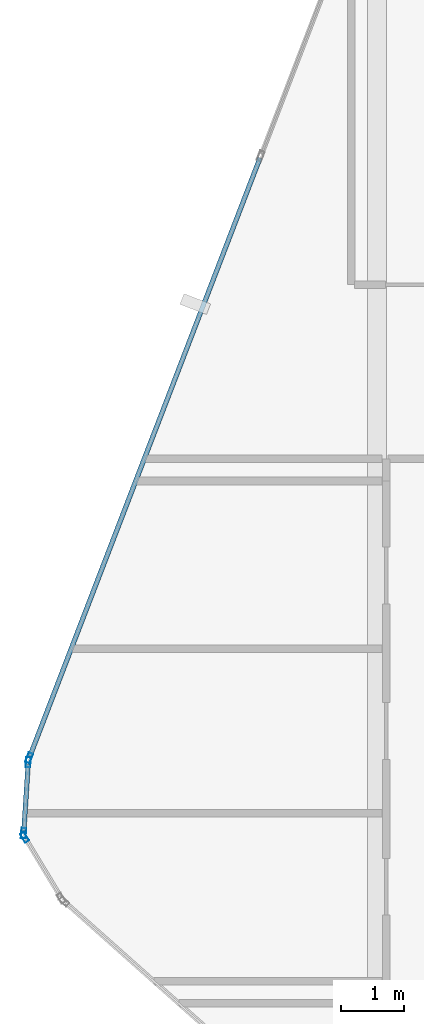
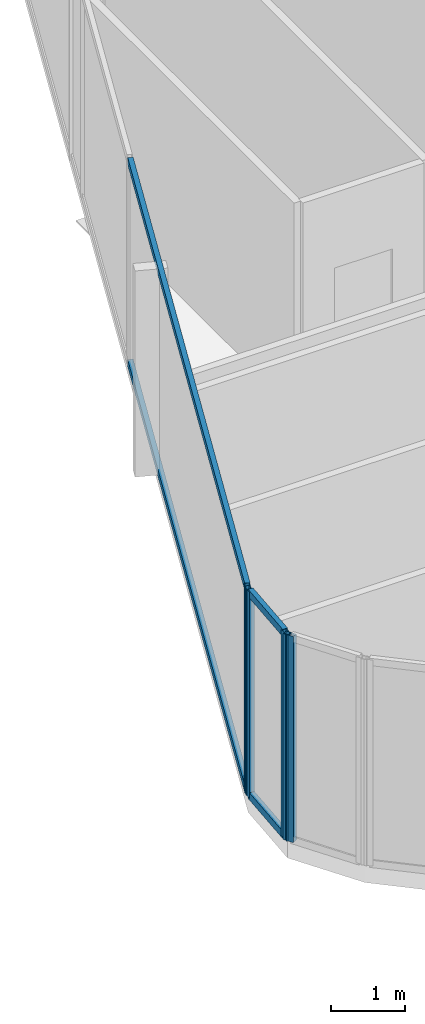
# One storey, part 10 of 30: 8 members, 3 elements without a shape of their own.
"""IFC4 building model written with IfcOpenShell, lengths in metres."""

from ifc_helpers import new_model, si_unit, direction, frame, origin, origin_2d, place, context, subcontext, project, spatial, hollow_rectangle, extrude, material, layer, layer_set, material_profile, profile_set, type_object, element, aggregate, save


model = new_model("IFC4")

# Units and contexts
model_context = context("Model", 3, precision=1e-05, world=origin(), true_north=direction((0.0, 1.0)))
body_context = subcontext(model_context, "Body", "Model", "MODEL_VIEW")
ifc_project = project(units=[si_unit("LENGTHUNIT", "METRE"), si_unit("AREAUNIT", "SQUARE_METRE"), si_unit("VOLUMEUNIT", "CUBIC_METRE"), si_unit("PLANEANGLEUNIT", "RADIAN"), si_unit("MASSUNIT", "GRAM", prefix="KILO")], contexts=[model_context])

# Site, building, storey
site_placement = place(None, origin())
site = spatial("IfcSite", under=ifc_project, at=site_placement, CompositionType="ELEMENT")
building_placement = place(site_placement, origin())
building = spatial("IfcBuilding", under=site, at=building_placement, Name="Keshet Zoharim Tower", CompositionType="ELEMENT")
storey_placement = place(building_placement, frame((0.0, 0.0, 280.60009765625)))
storey = spatial("IfcBuildingStorey", under=building, at=storey_placement, Name="L70", CompositionType="ELEMENT", Elevation=280.60009765625)

# Curtain wall, member
ifc_material = material(Name="Aluminium 6063-T6", Category="aluminium")
ifc_layer = layer(ifc_material, 0.260009765625)
ifc_layer_set = layer_set([ifc_layer], Name="Aluminium 6063-T6")
curtain_wall_type = type_object("IfcCurtainWallType", Name="CW-SYS-06", PredefinedType="NOTDEFINED", material=ifc_layer_set)
curtain_wall_1_placement = place(storey_placement, origin())
curtain_wall_1 = element("IfcCurtainWall", 1, at=curtain_wall_1_placement, inside=storey, type_object=curtain_wall_type, Name="L70 Unitised Curtain Wall 01", PredefinedType="NOTDEFINED")
ifc_material_profile_1 = material_profile(ifc_material, hollow_rectangle(XDim=0.074951171875, YDim=0.159912109375, WallThickness=0.00390625, at=origin_2d()), Name="MUL-75x160")
ifc_profile_set_1 = profile_set([ifc_material_profile_1], Name="Aluminium 6063-T6")
member_type_1 = type_object("IfcMemberType", Name="CWM-M15", PredefinedType="MULLION", material=ifc_profile_set_1)
member_1_placement = place(storey_placement, frame((3.43798828125, 22.77197265625, 0.0), z_axis=(0.0, 0.0, 1.0), x_axis=(-0.856826433805, -0.515604947933, 0.0)))
member_1 = element("IfcMember", 2, at=member_1_placement, type_object=member_type_1, Name="CW-06 mullion 2", PredefinedType="MULLION", context=body_context, shape_type="SweptSolid", body=[
    extrude(hollow_rectangle(XDim=0.074951171875, YDim=0.159912109375, WallThickness=0.00390625, at=origin_2d()), origin(), (0.0, 0.0, 1.0), 3.389892578125),
])
aggregate(curtain_wall_1, [member_1])

# Curtain wall, members
curtain_wall_2_placement = place(storey_placement, origin())
curtain_wall_2 = element("IfcCurtainWall", 3, at=curtain_wall_2_placement, inside=storey, type_object=curtain_wall_type, Name="L70 Unitised Curtain Wall 02", PredefinedType="NOTDEFINED")
member_2_placement = place(storey_placement, frame((3.42236328125, 22.8369140625, 0.0), z_axis=(0.0, 0.0, 1.0), x_axis=(-0.997916617186, 0.064516859374, 0.0)))
member_2 = element("IfcMember", 4, at=member_2_placement, type_object=member_type_1, Name="CW-06 mullion 1", PredefinedType="MULLION", context=body_context, shape_type="SweptSolid", body=[
    extrude(hollow_rectangle(XDim=0.074951171875, YDim=0.159912109375, WallThickness=0.00390625, at=origin_2d()), origin(), (0.0, 0.0, 1.0), 3.389892578125),
])
member_3_placement = place(storey_placement, frame((3.49462890625, 23.9580078125, 0.0), z_axis=(0.0, 0.0, 1.0), x_axis=(-0.997916617186, 0.064516859374, 0.0)))
member_3 = element("IfcMember", 5, at=member_3_placement, type_object=member_type_1, Name="CW-06 mullion 2", PredefinedType="MULLION", context=body_context, shape_type="SweptSolid", body=[
    extrude(hollow_rectangle(XDim=0.074951171875, YDim=0.159912109375, WallThickness=0.00390625, at=origin_2d()), origin(), (0.0, 0.0, 1.0), 3.389892578125),
])

# Curtain wall, member
curtain_wall_3_placement = place(storey_placement, origin())
curtain_wall_3 = element("IfcCurtainWall", 6, at=curtain_wall_3_placement, inside=storey, type_object=curtain_wall_type, Name="L70 Unitised Curtain Wall 03", PredefinedType="NOTDEFINED")
member_4_placement = place(storey_placement, frame((3.509521484375, 24.025634765625, 0.0), z_axis=(0.0, 0.0, 1.0), x_axis=(-0.933341404361, 0.358990003907, 0.0)))
member_4 = element("IfcMember", 7, at=member_4_placement, type_object=member_type_1, Name="CW-06 mullion 1", PredefinedType="MULLION", context=body_context, shape_type="SweptSolid", body=[
    extrude(hollow_rectangle(XDim=0.074951171875, YDim=0.159912109375, WallThickness=0.00390625, at=origin_2d()), origin(), (0.0, 0.0, 1.0), 3.389892578125),
])

# Member
ifc_material_profile_2 = material_profile(ifc_material, hollow_rectangle(XDim=0.074951171875, YDim=0.1201171875, WallThickness=0.00390625, at=origin_2d()), Name="TRN-75x120")
ifc_profile_set_2 = profile_set([ifc_material_profile_2], Name="Aluminium 6063-T6")
member_type_2 = type_object("IfcMemberType", Name="CWT-T12", PredefinedType="USERDEFINED", material=ifc_profile_set_2)
member_5_placement = place(storey_placement, frame((3.424560546875, 22.871826171875, 0.034912109375), z_axis=(0.064426947155, 0.997922426083, 0.0), x_axis=(-0.997922426083, 0.064426947155, 0.0)))
member_5 = element("IfcMember", 8, at=member_5_placement, type_object=member_type_2, Name="CW-06 transom 1.1", ObjectType="TRANSOM", PredefinedType="USERDEFINED", context=body_context, shape_type="SweptSolid", body=[
    extrude(hollow_rectangle(XDim=0.074951171875, YDim=0.1201171875, WallThickness=0.00390625, at=origin_2d()), origin(), (0.0, 0.0, 1.0), 1.053466796875),
])

member_6_placement = place(storey_placement, frame((3.424560546875, 22.871826171875, 3.35498046875), z_axis=(0.064426947155, 0.997922426083, 0.0), x_axis=(-0.997922426083, 0.064426947155, 0.0)))
member_6 = element("IfcMember", 9, at=member_6_placement, type_object=member_type_2, Name="CW-06 transom 1.2", ObjectType="TRANSOM", PredefinedType="USERDEFINED", context=body_context, shape_type="SweptSolid", body=[
    extrude(hollow_rectangle(XDim=0.074951171875, YDim=0.1201171875, WallThickness=0.00390625, at=origin_2d()), origin(), (0.0, 0.0, 1.0), 1.053466796875),
])

aggregate(curtain_wall_2, [member_2, member_3, member_5, member_6])

member_7_placement = place(storey_placement, frame((3.522216796875, 24.058349609375, 0.034912109375), z_axis=(0.358993631387, 0.93334000912, 0.0), x_axis=(-0.93334000912, 0.358993631387, 0.0)))
member_7 = element("IfcMember", 10, at=member_7_placement, type_object=member_type_2, Name="CW-06 transom 1.1", ObjectType="TRANSOM", PredefinedType="USERDEFINED", context=body_context, shape_type="SweptSolid", body=[
    extrude(hollow_rectangle(XDim=0.074951171875, YDim=0.1201171875, WallThickness=0.00390625, at=origin_2d()), origin(), (0.0, 0.0, 1.0), 10.1181640625),
])

member_8_placement = place(storey_placement, frame((3.522216796875, 24.058349609375, 3.35498046875), z_axis=(0.358993631387, 0.93334000912, 0.0), x_axis=(-0.93334000912, 0.358993631387, 0.0)))
member_8 = element("IfcMember", 11, at=member_8_placement, type_object=member_type_2, Name="CW-06 transom 1.2", ObjectType="TRANSOM", PredefinedType="USERDEFINED", context=body_context, shape_type="SweptSolid", body=[
    extrude(hollow_rectangle(XDim=0.074951171875, YDim=0.1201171875, WallThickness=0.00390625, at=origin_2d()), origin(), (0.0, 0.0, 1.0), 10.1181640625),
])

aggregate(curtain_wall_3, [member_4, member_7, member_8])

save(model, "model.ifc")
